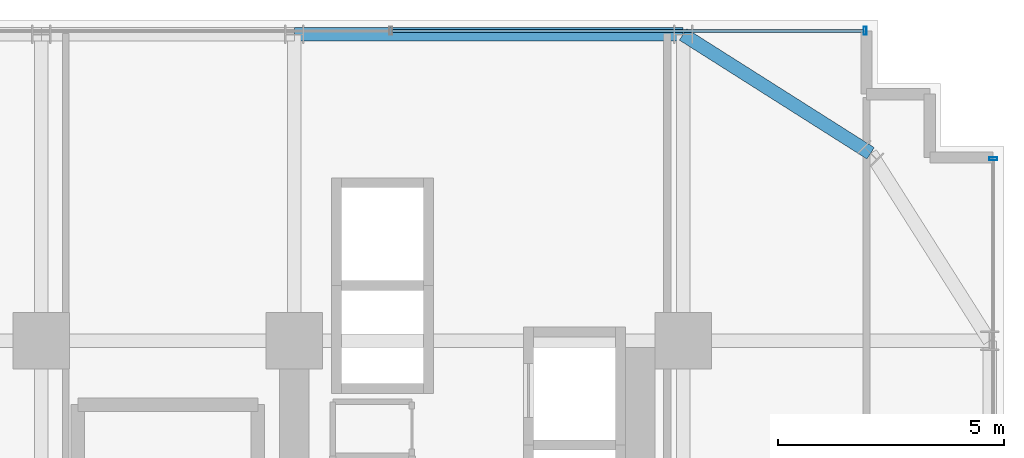
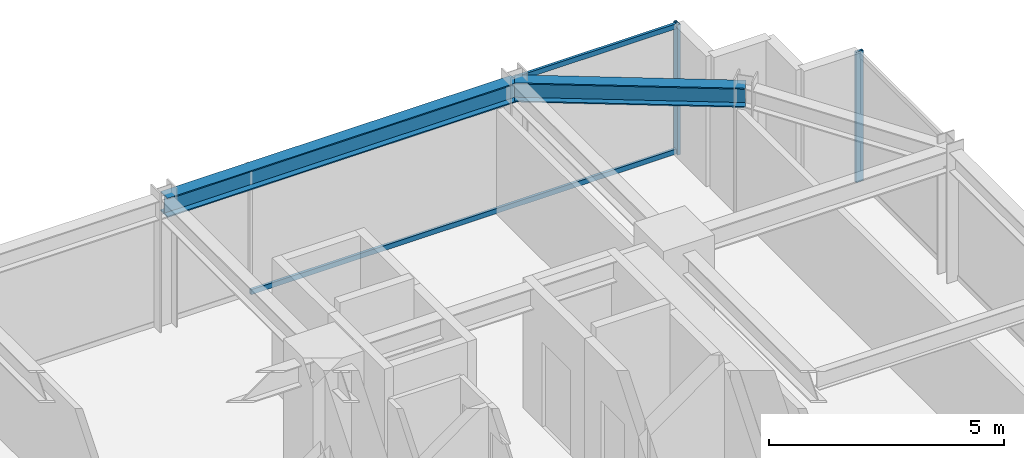
# One storey, part 24 of 32: 4 members, 2 beams, 2 elements without a shape of their own.
"""IFC4 building model written with IfcOpenShell, lengths in metres."""

from ifc_helpers import new_model, si_unit, direction, frame, origin, origin_2d, place, context, subcontext, project, spatial, hollow_rectangle, i_section, extrude, source, transform, mapped, material, material_profile, profile_set, type_object, element, aggregate, save


model = new_model("IFC4")

# Units and contexts
model_context = context("Model", 3, precision=1e-05, world=origin(), true_north=direction((0.0, 1.0)))
body_context = subcontext(model_context, "Body", "Model", "MODEL_VIEW")
ifc_project = project(units=[si_unit("LENGTHUNIT", "METRE"), si_unit("AREAUNIT", "SQUARE_METRE"), si_unit("VOLUMEUNIT", "CUBIC_METRE"), si_unit("PLANEANGLEUNIT", "RADIAN"), si_unit("MASSUNIT", "GRAM", prefix="KILO")], contexts=[model_context])

# Site, building, storey
site_placement = place(None, origin())
site = spatial("IfcSite", under=ifc_project, at=site_placement, CompositionType="ELEMENT")
building_placement = place(site_placement, origin())
building = spatial("IfcBuilding", under=site, at=building_placement, Name="Nahalor Promenade Grand Hotel", CompositionType="ELEMENT")
storey_placement = place(building_placement, frame((0.0, 0.0, 110.199951171875)))
storey = spatial("IfcBuildingStorey", under=building, at=storey_placement, Name="L27", CompositionType="ELEMENT", Elevation=110.199951171875)

# Beams
ifc_material_1 = material(Name="Steel S355JR", Category="steel")
ifc_material_profile_1 = material_profile(ifc_material_1, i_section(OverallWidth=0.3, OverallDepth=0.5, WebThickness=0.0145, FlangeThickness=0.028, at=origin_2d()), Name="HEB 500")
ifc_profile_set_1 = profile_set([ifc_material_profile_1], Name="Steel S355JR")
beam_type = type_object("IfcBeamType", Name="Beam-Spandrel-HEB500", PredefinedType="SPANDREL", material=ifc_profile_set_1)
shared_shape_1 = source(origin(), body_context, "Body", "SweptSolid", [
    extrude(i_section(OverallWidth=0.3, OverallDepth=0.5, WebThickness=0.0145, FlangeThickness=0.028, at=origin_2d()), origin(), (0.0, 0.0, 1.0), 8.60009765625),
])
beam_1_placement = place(storey_placement, frame((8.39990234375, 23.780029296875, 3.130126953125), z_axis=(1.0, 0.0, 0.0), x_axis=(0.0, 1.0, 0.0)))
element("IfcBeam", 1, at=beam_1_placement, inside=storey, type_object=beam_type, Name="BM-L27-SP-N-4", PredefinedType="SPANDREL", context=body_context, shape_type="MappedRepresentation", body=[
    mapped(shared_shape_1, transform((0.0, 0.0, 0.0), scale=1.0)),
])
shared_shape_2 = source(origin(), body_context, "Body", "SweptSolid", [
    extrude(i_section(OverallWidth=0.3, OverallDepth=0.5, WebThickness=0.0145, FlangeThickness=0.028, at=origin_2d()), origin(), (0.0, 0.0, 1.0), 4.9130859375),
])
beam_2_placement = place(storey_placement, frame((17.0, 23.780029296875, 3.130126953125), z_axis=(0.844648325505, -0.535321591403, 0.0), x_axis=(0.535321591403, 0.844648325505, 0.0)))
element("IfcBeam", 2, at=beam_2_placement, inside=storey, type_object=beam_type, Name="BM-L27-SPC-NE-1", PredefinedType="SPANDREL", context=body_context, shape_type="MappedRepresentation", body=[
    mapped(shared_shape_2, transform((0.0, 0.0, 0.0), scale=1.0)),
])

# Curtain wall, members
ifc_material_2 = material(Name="Anodised Bronze Aluminium EN AW-6063 T6", Category="aluminium")
curtain_wall_type = type_object("IfcCurtainWallType", Name="CW2 Typical Hotel Flush Bronze Unitised Curtain Wall", PredefinedType="USERDEFINED", material=ifc_material_2)
curtain_wall_1_placement = place(storey_placement, origin())
curtain_wall_1 = element("IfcCurtainWall", 3, at=curtain_wall_1_placement, inside=storey, type_object=curtain_wall_type, Name="L27 Curtain Wall CW-L27-N-1", ObjectType="UNITISED_CURTAIN_WALL", PredefinedType="USERDEFINED")
ifc_material_profile_2 = material_profile(ifc_material_2, hollow_rectangle(XDim=0.065, YDim=0.13, WallThickness=0.004, at=origin_2d()), Name="CWT 65x130x4")
ifc_profile_set_2 = profile_set([ifc_material_profile_2], Name="Anodised Bronze Aluminium EN AW-6063 T6")
member_type_1 = type_object("IfcMemberType", Name="CWT2 Typical Bronze Transom 65x130", PredefinedType="USERDEFINED", material=ifc_profile_set_2)
shared_shape_3 = source(origin(), body_context, "Body", "SweptSolid", [
    extrude(hollow_rectangle(XDim=0.065, YDim=0.13, WallThickness=0.004, at=origin_2d()), origin(), (0.0, 0.0, 1.0), 10.4326171875),
])
member_1_placement = place(storey_placement, frame((10.5625, 23.860107421875, 0.06494140625), z_axis=(1.0, 0.0, 0.0), x_axis=(0.0, 1.0, 0.0)))
member_1 = element("IfcMember", 4, at=member_1_placement, type_object=member_type_1, Name="CW-L27-N-1 Transom 3-0", ObjectType="TRANSOM", PredefinedType="USERDEFINED", context=body_context, shape_type="MappedRepresentation", body=[
    mapped(shared_shape_3, transform((0.0, 0.0, 0.0), scale=1.0)),
])
member_2_placement = place(storey_placement, frame((10.5625, 23.860107421875, 3.31494140625), z_axis=(1.0, 0.0, 0.0), x_axis=(0.0, 1.0, 0.0)))
member_2 = element("IfcMember", 5, at=member_2_placement, type_object=member_type_1, Name="CW-L27-N-1 Transom 3-1", ObjectType="TRANSOM", PredefinedType="USERDEFINED", context=body_context, shape_type="MappedRepresentation", body=[
    mapped(shared_shape_3, transform((0.0, 0.0, 0.0), scale=1.0)),
])
ifc_material_profile_3 = material_profile(ifc_material_2, hollow_rectangle(XDim=0.065, YDim=0.18, WallThickness=0.004, at=origin_2d()), Name="CWM 65x180x4")
ifc_profile_set_3 = profile_set([ifc_material_profile_3], Name="Anodised Bronze Aluminium EN AW-6063 T6")
member_type_2 = type_object("IfcMemberType", Name="CWM2 Typical Bronze Mullion 65x180", PredefinedType="MULLION", material=ifc_profile_set_3)
shared_shape_4 = source(origin(), body_context, "Body", "SweptSolid", [
    extrude(hollow_rectangle(XDim=0.065, YDim=0.18, WallThickness=0.004, at=origin_2d()), origin(), (0.0, 0.0, 1.0), 3.380126953125),
])
member_3_placement = place(storey_placement, frame((21.027587890625, 23.860107421875, 0.0), z_axis=(0.0, 0.0, 1.0), x_axis=(1.0, 0.0, 0.0)))
member_3 = element("IfcMember", 6, at=member_3_placement, type_object=member_type_2, Name="CW-L27-N-1 Mullion 4", PredefinedType="MULLION", context=body_context, shape_type="MappedRepresentation", body=[
    mapped(shared_shape_4, transform((0.0, 0.0, 0.0), scale=1.0)),
])
aggregate(curtain_wall_1, [member_3, member_1, member_2])

# Curtain wall, member
curtain_wall_2_placement = place(storey_placement, origin())
curtain_wall_2 = element("IfcCurtainWall", 7, at=curtain_wall_2_placement, inside=storey, type_object=curtain_wall_type, Name="L27 Curtain Wall CW-L27-E-1", ObjectType="UNITISED_CURTAIN_WALL", PredefinedType="USERDEFINED")
member_4_placement = place(storey_placement, frame((23.860107421875, 21.027587890625, 0.0), z_axis=(0.0, 0.0, 1.0), x_axis=(0.0, 1.0, 0.0)))
member_4 = element("IfcMember", 8, at=member_4_placement, type_object=member_type_2, Name="CW-L27-E-1 Mullion 4", PredefinedType="MULLION", context=body_context, shape_type="MappedRepresentation", body=[
    mapped(shared_shape_4, transform((0.0, 0.0, 0.0), scale=1.0)),
])
aggregate(curtain_wall_2, [member_4])

save(model, "model.ifc")
